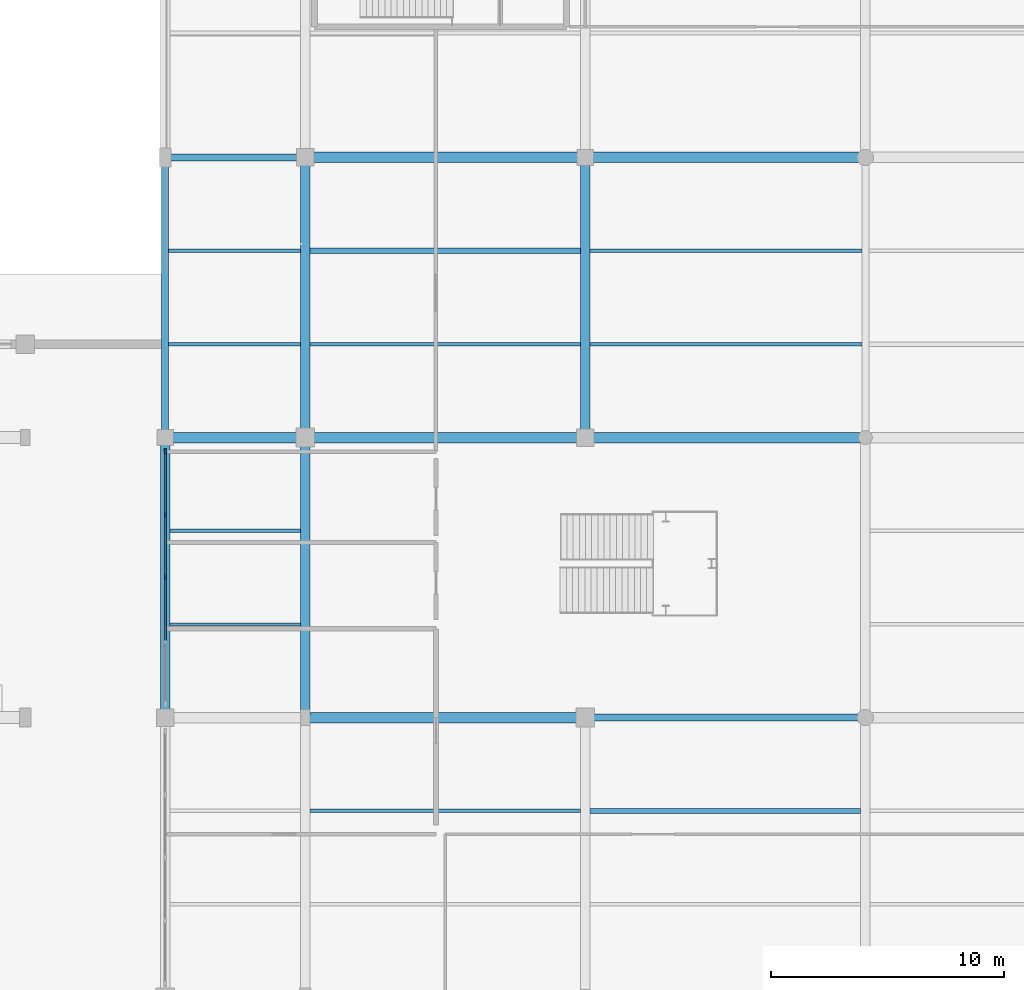
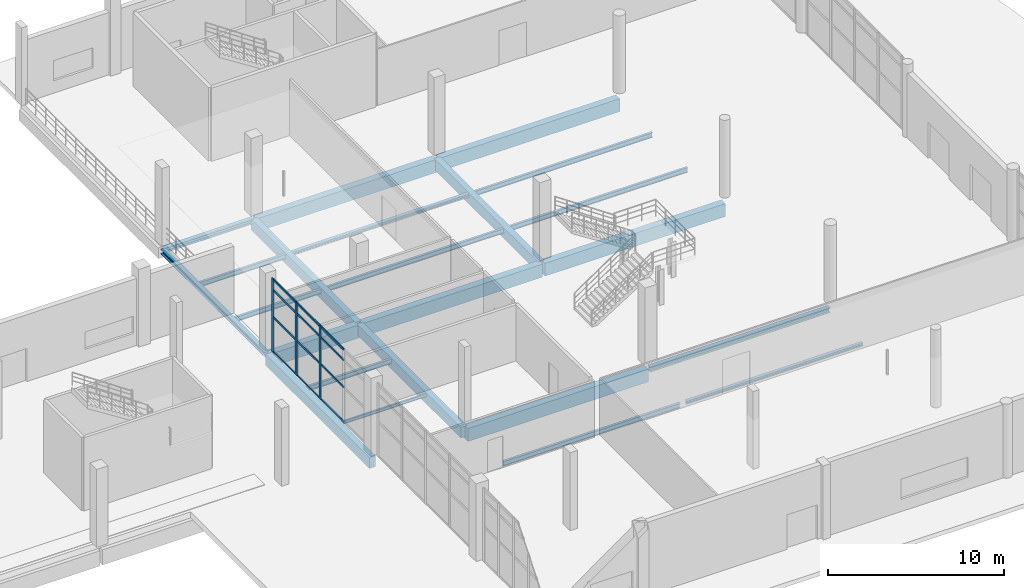
# One storey, part 35 of 85: 23 beams, 15 members, 1 element without a shape of its own.
"""IFC4 building model written with IfcOpenShell, lengths in metres."""

from ifc_helpers import new_model, si_unit, direction, frame, origin, origin_2d, place, context, subcontext, project, spatial, rectangle, i_section, extrude, material, material_profile, profile_set, type_object, element, aggregate, save


model = new_model("IFC4")

# Units and contexts
model_context = context("Model", 3, precision=1e-05, world=origin(), true_north=direction((0.0, 1.0)))
body_context = subcontext(model_context, "Body", "Model", "MODEL_VIEW")
ifc_project = project(units=[si_unit("LENGTHUNIT", "METRE"), si_unit("AREAUNIT", "SQUARE_METRE"), si_unit("VOLUMEUNIT", "CUBIC_METRE"), si_unit("PLANEANGLEUNIT", "RADIAN"), si_unit("MASSUNIT", "GRAM", prefix="KILO"), si_unit("THERMODYNAMICTEMPERATUREUNIT", "KELVIN"), si_unit("POWERUNIT", "WATT")], contexts=[model_context])

# Site, building, storey
site_placement = place(None, origin())
site = spatial("IfcSite", under=ifc_project, at=site_placement, CompositionType="ELEMENT")
building_placement = place(site_placement, origin())
building = spatial("IfcBuilding", under=site, at=building_placement, Name="Solmara Park Aquatics Centre", CompositionType="ELEMENT")
storey_placement = place(building_placement, origin())
storey = spatial("IfcBuildingStorey", under=building, at=storey_placement, Name="L00", CompositionType="ELEMENT", Elevation=0.0)

# Curtain wall, members
ifc_material_1 = material(Name="Anodised Aluminium Curtain Wall Framing", Category="aluminium")
curtain_wall_type = type_object("IfcCurtainWallType", Name="ARC-CW-SYS02", PredefinedType="USERDEFINED", material=ifc_material_1)
curtain_wall_placement = place(storey_placement, origin())
curtain_wall = element("IfcCurtainWall", 1, at=curtain_wall_placement, inside=storey, type_object=curtain_wall_type, Name="Curtain Wall CW-080", ObjectType="CURTAIN WALL", PredefinedType="USERDEFINED")
ifc_material_2 = material(Name="Anodised Aluminium Alloy 6063-T6", Category="aluminium")
ifc_material_profile_1 = material_profile(ifc_material_2, rectangle(XDim=0.074951171875, YDim=0.219970703125, at=origin_2d()), Name="ALU MULLION 75x220")
ifc_profile_set_1 = profile_set([ifc_material_profile_1], Name="Anodised Aluminium Alloy 6063-T6")
member_type_1 = type_object("IfcMemberType", Name="ARC-CWM-75x220", PredefinedType="MULLION", material=ifc_profile_set_1)
member_1_placement = place(storey_placement, frame((162.0, 42.60009765625, 0.0), z_axis=(0.0, 0.0, 1.0), x_axis=(1.0, 0.0, 0.0)))
member_1 = element("IfcMember", 2, at=member_1_placement, type_object=member_type_1, Name="CW-080 mullion 3", PredefinedType="MULLION", context=body_context, shape_type="SweptSolid", body=[
    extrude(rectangle(XDim=0.074951171875, YDim=0.219970703125, at=origin_2d()), origin(), (0.0, 0.0, 1.0), 5.080078125),
])
member_2_placement = place(storey_placement, frame((162.0, 45.300048828125, 0.0), z_axis=(0.0, 0.0, 1.0), x_axis=(1.0, 0.0, 0.0)))
member_2 = element("IfcMember", 3, at=member_2_placement, type_object=member_type_1, Name="CW-080 mullion 4", PredefinedType="MULLION", context=body_context, shape_type="SweptSolid", body=[
    extrude(rectangle(XDim=0.074951171875, YDim=0.219970703125, at=origin_2d()), origin(), (0.0, 0.0, 1.0), 5.080078125),
])
member_3_placement = place(storey_placement, frame((162.0, 48.0, 0.0), z_axis=(0.0, 0.0, 1.0), x_axis=(1.0, 0.0, 0.0)))
member_3 = element("IfcMember", 4, at=member_3_placement, type_object=member_type_1, Name="CW-080 mullion 5", PredefinedType="MULLION", context=body_context, shape_type="SweptSolid", body=[
    extrude(rectangle(XDim=0.074951171875, YDim=0.219970703125, at=origin_2d()), origin(), (0.0, 0.0, 1.0), 5.080078125),
])
ifc_material_profile_2 = material_profile(ifc_material_2, rectangle(XDim=0.074951171875, YDim=0.14990234375, at=origin_2d()), Name="ALU TRANSOM 75x150")
ifc_profile_set_2 = profile_set([ifc_material_profile_2], Name="Anodised Aluminium Alloy 6063-T6")
member_type_2 = type_object("IfcMemberType", Name="ARC-CWT-75x150", PredefinedType="USERDEFINED", material=ifc_profile_set_2)
member_4_placement = place(storey_placement, frame((162.0, 39.919921875, 0.0400390625), z_axis=(0.0, 1.0, 0.0), x_axis=(-1.0, 0.0, 0.0)))
member_4 = element("IfcMember", 5, at=member_4_placement, type_object=member_type_2, Name="CW-080 transom 5", ObjectType="TRANSOM", PredefinedType="USERDEFINED", context=body_context, shape_type="SweptSolid", body=[
    extrude(rectangle(XDim=0.074951171875, YDim=0.14990234375, at=origin_2d()), origin(), (0.0, 0.0, 1.0), 2.6201171875),
])
member_5_placement = place(storey_placement, frame((162.0, 39.919921875, 2.449951171875), z_axis=(0.0, 1.0, 0.0), x_axis=(-1.0, 0.0, 0.0)))
member_5 = element("IfcMember", 6, at=member_5_placement, type_object=member_type_2, Name="CW-080 transom 6", ObjectType="TRANSOM", PredefinedType="USERDEFINED", context=body_context, shape_type="SweptSolid", body=[
    extrude(rectangle(XDim=0.074951171875, YDim=0.14990234375, at=origin_2d()), origin(), (0.0, 0.0, 1.0), 2.6201171875),
])
member_6_placement = place(storey_placement, frame((162.0, 39.919921875, 4.330078125), z_axis=(0.0, 1.0, 0.0), x_axis=(-1.0, 0.0, 0.0)))
member_6 = element("IfcMember", 7, at=member_6_placement, type_object=member_type_2, Name="CW-080 transom 7", ObjectType="TRANSOM", PredefinedType="USERDEFINED", context=body_context, shape_type="SweptSolid", body=[
    extrude(rectangle(XDim=0.074951171875, YDim=0.14990234375, at=origin_2d()), origin(), (0.0, 0.0, 1.0), 2.6201171875),
])
member_7_placement = place(storey_placement, frame((162.0, 39.919921875, 5.0400390625), z_axis=(0.0, 1.0, 0.0), x_axis=(-1.0, 0.0, 0.0)))
member_7 = element("IfcMember", 8, at=member_7_placement, type_object=member_type_2, Name="CW-080 transom 8", ObjectType="TRANSOM", PredefinedType="USERDEFINED", context=body_context, shape_type="SweptSolid", body=[
    extrude(rectangle(XDim=0.074951171875, YDim=0.14990234375, at=origin_2d()), origin(), (0.0, 0.0, 1.0), 2.6201171875),
])
member_8_placement = place(storey_placement, frame((162.0, 42.6201171875, 0.0400390625), z_axis=(0.0, 1.0, 0.0), x_axis=(-1.0, 0.0, 0.0)))
member_8 = element("IfcMember", 9, at=member_8_placement, type_object=member_type_2, Name="CW-080 transom 9", ObjectType="TRANSOM", PredefinedType="USERDEFINED", context=body_context, shape_type="SweptSolid", body=[
    extrude(rectangle(XDim=0.074951171875, YDim=0.14990234375, at=origin_2d()), origin(), (0.0, 0.0, 1.0), 2.619873046875),
])
member_9_placement = place(storey_placement, frame((162.0, 42.6201171875, 2.449951171875), z_axis=(0.0, 1.0, 0.0), x_axis=(-1.0, 0.0, 0.0)))
member_9 = element("IfcMember", 10, at=member_9_placement, type_object=member_type_2, Name="CW-080 transom 10", ObjectType="TRANSOM", PredefinedType="USERDEFINED", context=body_context, shape_type="SweptSolid", body=[
    extrude(rectangle(XDim=0.074951171875, YDim=0.14990234375, at=origin_2d()), origin(), (0.0, 0.0, 1.0), 2.619873046875),
])
member_10_placement = place(storey_placement, frame((162.0, 42.6201171875, 4.330078125), z_axis=(0.0, 1.0, 0.0), x_axis=(-1.0, 0.0, 0.0)))
member_10 = element("IfcMember", 11, at=member_10_placement, type_object=member_type_2, Name="CW-080 transom 11", ObjectType="TRANSOM", PredefinedType="USERDEFINED", context=body_context, shape_type="SweptSolid", body=[
    extrude(rectangle(XDim=0.074951171875, YDim=0.14990234375, at=origin_2d()), origin(), (0.0, 0.0, 1.0), 2.619873046875),
])
member_11_placement = place(storey_placement, frame((162.0, 42.6201171875, 5.0400390625), z_axis=(0.0, 1.0, 0.0), x_axis=(-1.0, 0.0, 0.0)))
member_11 = element("IfcMember", 12, at=member_11_placement, type_object=member_type_2, Name="CW-080 transom 12", ObjectType="TRANSOM", PredefinedType="USERDEFINED", context=body_context, shape_type="SweptSolid", body=[
    extrude(rectangle(XDim=0.074951171875, YDim=0.14990234375, at=origin_2d()), origin(), (0.0, 0.0, 1.0), 2.619873046875),
])
member_12_placement = place(storey_placement, frame((162.0, 45.320068359375, 0.0400390625), z_axis=(0.0, 1.0, 0.0), x_axis=(-1.0, 0.0, 0.0)))
member_12 = element("IfcMember", 13, at=member_12_placement, type_object=member_type_2, Name="CW-080 transom 13", ObjectType="TRANSOM", PredefinedType="USERDEFINED", context=body_context, shape_type="SweptSolid", body=[
    extrude(rectangle(XDim=0.074951171875, YDim=0.14990234375, at=origin_2d()), origin(), (0.0, 0.0, 1.0), 2.619873046875),
])
member_13_placement = place(storey_placement, frame((162.0, 45.320068359375, 2.449951171875), z_axis=(0.0, 1.0, 0.0), x_axis=(-1.0, 0.0, 0.0)))
member_13 = element("IfcMember", 14, at=member_13_placement, type_object=member_type_2, Name="CW-080 transom 14", ObjectType="TRANSOM", PredefinedType="USERDEFINED", context=body_context, shape_type="SweptSolid", body=[
    extrude(rectangle(XDim=0.074951171875, YDim=0.14990234375, at=origin_2d()), origin(), (0.0, 0.0, 1.0), 2.619873046875),
])
member_14_placement = place(storey_placement, frame((162.0, 45.320068359375, 4.330078125), z_axis=(0.0, 1.0, 0.0), x_axis=(-1.0, 0.0, 0.0)))
member_14 = element("IfcMember", 15, at=member_14_placement, type_object=member_type_2, Name="CW-080 transom 15", ObjectType="TRANSOM", PredefinedType="USERDEFINED", context=body_context, shape_type="SweptSolid", body=[
    extrude(rectangle(XDim=0.074951171875, YDim=0.14990234375, at=origin_2d()), origin(), (0.0, 0.0, 1.0), 2.619873046875),
])
member_15_placement = place(storey_placement, frame((162.0, 45.320068359375, 5.0400390625), z_axis=(0.0, 1.0, 0.0), x_axis=(-1.0, 0.0, 0.0)))
member_15 = element("IfcMember", 16, at=member_15_placement, type_object=member_type_2, Name="CW-080 transom 16", ObjectType="TRANSOM", PredefinedType="USERDEFINED", context=body_context, shape_type="SweptSolid", body=[
    extrude(rectangle(XDim=0.074951171875, YDim=0.14990234375, at=origin_2d()), origin(), (0.0, 0.0, 1.0), 2.619873046875),
])
aggregate(curtain_wall, [member_1, member_2, member_3, member_4, member_5, member_6, member_7, member_8, member_9, member_10, member_11, member_12, member_13, member_14, member_15])

# Beams
ifc_material_3 = material(Name="Structural Steel S355", Category="steel")
ifc_material_profile_3 = material_profile(ifc_material_3, i_section(OverallWidth=0.300048828125, OverallDepth=0.320068359375, WebThickness=0.011474609375, FlangeThickness=0.0205078125, FilletRadius=0.027099609375, at=origin_2d()), Name="HEB 320")
ifc_profile_set_3 = profile_set([ifc_material_profile_3], Name="Structural Steel S355")
beam_type_1 = type_object("IfcBeamType", Name="STR-BM-HEB320", PredefinedType="BEAM", material=ifc_profile_set_3)
beam_1_placement = place(storey_placement, frame((162.080078125, 60.60009765625, -0.580078125), z_axis=(1.0, 0.0, 0.0), x_axis=(0.0, 1.0, 0.0)))
element("IfcBeam", 17, at=beam_1_placement, inside=storey, type_object=beam_type_1, Name="Girder BM-L00-0066", PredefinedType="BEAM", context=body_context, shape_type="SweptSolid", body=[
    extrude(i_section(OverallWidth=0.300048828125, OverallDepth=0.320068359375, WebThickness=0.011474609375, FlangeThickness=0.0205078125, FilletRadius=0.027099609375, at=origin_2d()), origin(), (0.0, 0.0, 1.0), 5.83984375),
])
beam_2_placement = place(storey_placement, frame((162.0, 48.679931640625, -0.580078125), z_axis=(0.0, 1.0, 0.0), x_axis=(-1.0, 0.0, 0.0)))
element("IfcBeam", 18, at=beam_2_placement, inside=storey, type_object=beam_type_1, Name="Girder BM-L00-0077", PredefinedType="BEAM", context=body_context, shape_type="SweptSolid", body=[
    extrude(i_section(OverallWidth=0.300048828125, OverallDepth=0.320068359375, WebThickness=0.011474609375, FlangeThickness=0.0205078125, FilletRadius=0.027099609375, at=origin_2d()), origin(), (0.0, 0.0, 1.0), 11.840087890625),
])
ifc_material_profile_4 = material_profile(ifc_material_3, i_section(OverallWidth=0.300048828125, OverallDepth=0.340087890625, WebThickness=0.011962890625, FlangeThickness=0.021484375, FilletRadius=0.027099609375, at=origin_2d()), Name="HEB 340")
ifc_profile_set_4 = profile_set([ifc_material_profile_4], Name="Structural Steel S355")
beam_type_2 = type_object("IfcBeamType", Name="STR-BM-HEB340", PredefinedType="BEAM", material=ifc_profile_set_4)
beam_3_placement = place(storey_placement, frame((180.080078125, 36.60009765625, -0.590087890625), z_axis=(1.0, 0.0, 0.0), x_axis=(0.0, 1.0, 0.0)))
element("IfcBeam", 19, at=beam_3_placement, inside=storey, type_object=beam_type_2, Name="Girder BM-L00-0060", PredefinedType="BEAM", context=body_context, shape_type="SweptSolid", body=[
    extrude(i_section(OverallWidth=0.300048828125, OverallDepth=0.340087890625, WebThickness=0.011962890625, FlangeThickness=0.021484375, FilletRadius=0.027099609375, at=origin_2d()), origin(), (0.0, 0.0, 1.0), 11.83984375),
])
ifc_material_4 = material(Name="Concrete C40/50", Category="concrete")
ifc_material_profile_5 = material_profile(ifc_material_4, rectangle(XDim=0.39990234375, YDim=0.75, at=origin_2d()), Name="RC 400x750")
ifc_profile_set_5 = profile_set([ifc_material_profile_5], Name="Concrete C40/50")
beam_type_3 = type_object("IfcBeamType", Name="STR-BM-RC400x750", PredefinedType="BEAM", material=ifc_profile_set_5)
for number, where, z_axis, x_axis, name in (
    (20, (162.0, 36.679931640625, -0.794921875), (0.0, 1.0, 0.0), (-1.0, 0.0, 0.0), "Girder BM-L00-0076"),
    (21, (168.0, 36.679931640625, -0.794921875), (0.0, 1.0, 0.0), (-1.0, 0.0, 0.0), "Girder BM-L00-0081"),
    (22, (168.0, 48.679931640625, -0.794921875), (0.0, 1.0, 0.0), (-1.0, 0.0, 0.0), "Girder BM-L00-0082"),
    (23, (180.0, 48.679931640625, -0.794921875), (0.0, 1.0, 0.0), (-1.0, 0.0, 0.0), "Girder BM-L00-0086"),
):
    element("IfcBeam", number, at=place(storey_placement, frame(where, z_axis=z_axis, x_axis=x_axis)), inside=storey, type_object=beam_type_3, Name=name, PredefinedType="BEAM", context=body_context, shape_type="SweptSolid", body=[
        extrude(rectangle(XDim=0.39990234375, YDim=0.75, at=origin_2d()), origin(), (0.0, 0.0, 1.0), 11.840087890625),
    ])
ifc_material_profile_6 = material_profile(ifc_material_4, rectangle(XDim=0.449951171875, YDim=0.89990234375, at=origin_2d()), Name="RC 450x900")
ifc_profile_set_6 = profile_set([ifc_material_profile_6], Name="Concrete C40/50")
beam_type_4 = type_object("IfcBeamType", Name="STR-BM-RC450x900", PredefinedType="BEAM", material=ifc_profile_set_6)
beam_4_placement = place(storey_placement, frame((168.080078125, 36.60009765625, -0.8701171875), z_axis=(1.0, 0.0, 0.0), x_axis=(0.0, 1.0, 0.0)))
element("IfcBeam", 24, at=beam_4_placement, inside=storey, type_object=beam_type_4, Name="Girder BM-L00-0059", PredefinedType="BEAM", context=body_context, shape_type="SweptSolid", body=[
    extrude(rectangle(XDim=0.449951171875, YDim=0.89990234375, at=origin_2d()), origin(), (0.0, 0.0, 1.0), 11.83984375),
])
beam_5_placement = place(storey_placement, frame((162.080078125, 48.60009765625, -0.8701171875), z_axis=(1.0, 0.0, 0.0), x_axis=(0.0, 1.0, 0.0)))
element("IfcBeam", 25, at=beam_5_placement, inside=storey, type_object=beam_type_4, Name="Girder BM-L00-0062", PredefinedType="BEAM", context=body_context, shape_type="SweptSolid", body=[
    extrude(rectangle(XDim=0.449951171875, YDim=0.89990234375, at=origin_2d()), origin(), (0.0, 0.0, 1.0), 5.83984375),
])
for number, where, z_axis, x_axis, name in (
    (26, (168.080078125, 48.60009765625, -0.8701171875), (1.0, 0.0, 0.0), (0.0, 1.0, 0.0), "Girder BM-L00-0063"),
    (27, (180.080078125, 48.60009765625, -0.8701171875), (1.0, 0.0, 0.0), (0.0, 1.0, 0.0), "Girder BM-L00-0064"),
    (28, (168.080078125, 60.60009765625, -0.8701171875), (1.0, 0.0, 0.0), (0.0, 1.0, 0.0), "Girder BM-L00-0067"),
    (29, (180.080078125, 60.60009765625, -0.8701171875), (1.0, 0.0, 0.0), (0.0, 1.0, 0.0), "Girder BM-L00-0068"),
):
    element("IfcBeam", number, at=place(storey_placement, frame(where, z_axis=z_axis, x_axis=x_axis)), inside=storey, type_object=beam_type_4, Name=name, PredefinedType="BEAM", context=body_context, shape_type="SweptSolid", body=[
        extrude(rectangle(XDim=0.449951171875, YDim=0.89990234375, at=origin_2d()), origin(), (0.0, 0.0, 1.0), 11.83984375),
    ])
ifc_material_profile_7 = material_profile(ifc_material_3, i_section(OverallWidth=0.219970703125, OverallDepth=0.2099609375, WebThickness=0.007080078125, FlangeThickness=0.010986328125, FilletRadius=0.01806640625, at=origin_2d()), Name="HEA 220")
ifc_profile_set_7 = profile_set([ifc_material_profile_7], Name="Structural Steel S355")
beam_type_5 = type_object("IfcBeamType", Name="STR-JST-HEA220", PredefinedType="JOIST", material=ifc_profile_set_7)
beam_6_placement = place(storey_placement, frame((180.199951171875, 32.60009765625, -0.52490234375), z_axis=(1.0, 0.0, 0.0), x_axis=(0.0, 1.0, 0.0)))
element("IfcBeam", 30, at=beam_6_placement, inside=storey, type_object=beam_type_5, Name="Floor Joist JST-L00-0044", PredefinedType="JOIST", context=body_context, shape_type="SweptSolid", body=[
    extrude(i_section(OverallWidth=0.219970703125, OverallDepth=0.2099609375, WebThickness=0.007080078125, FlangeThickness=0.010986328125, FilletRadius=0.01806640625, at=origin_2d()), origin(), (0.0, 0.0, 1.0), 11.60009765625),
])
ifc_material_profile_8 = material_profile(ifc_material_3, i_section(OverallWidth=0.239990234375, OverallDepth=0.22998046875, WebThickness=0.007568359375, FlangeThickness=0.011962890625, FilletRadius=0.02099609375, at=origin_2d()), Name="HEA 240")
ifc_profile_set_8 = profile_set([ifc_material_profile_8], Name="Structural Steel S355")
beam_type_6 = type_object("IfcBeamType", Name="STR-JST-HEA240", PredefinedType="JOIST", material=ifc_profile_set_8)
beam_7_placement = place(storey_placement, frame((168.199951171875, 56.60009765625, -0.534912109375), z_axis=(1.0, 0.0, 0.0), x_axis=(0.0, 1.0, 0.0)))
element("IfcBeam", 31, at=beam_7_placement, inside=storey, type_object=beam_type_6, Name="Floor Joist JST-L00-0039", PredefinedType="JOIST", context=body_context, shape_type="SweptSolid", body=[
    extrude(i_section(OverallWidth=0.239990234375, OverallDepth=0.22998046875, WebThickness=0.007568359375, FlangeThickness=0.011962890625, FilletRadius=0.02099609375, at=origin_2d()), origin(), (0.0, 0.0, 1.0), 11.60009765625),
])
ifc_material_profile_9 = material_profile(ifc_material_3, i_section(OverallWidth=0.110107421875, OverallDepth=0.219970703125, WebThickness=0.005859375, FlangeThickness=0.00927734375, FilletRadius=0.011962890625, at=origin_2d()), Name="IPE 220")
ifc_profile_set_9 = profile_set([ifc_material_profile_9], Name="Structural Steel S355")
beam_type_7 = type_object("IfcBeamType", Name="STR-JST-IPE220", PredefinedType="JOIST", material=ifc_profile_set_9)
beam_8_placement = place(storey_placement, frame((162.199951171875, 40.60009765625, -0.530029296875), z_axis=(1.0, 0.0, 0.0), x_axis=(0.0, 1.0, 0.0)))
element("IfcBeam", 32, at=beam_8_placement, inside=storey, type_object=beam_type_7, Name="Floor Joist JST-L00-0029", PredefinedType="JOIST", context=body_context, shape_type="SweptSolid", body=[
    extrude(i_section(OverallWidth=0.110107421875, OverallDepth=0.219970703125, WebThickness=0.005859375, FlangeThickness=0.00927734375, FilletRadius=0.011962890625, at=origin_2d()), origin(), (0.0, 0.0, 1.0), 5.60009765625),
])
ifc_material_profile_10 = material_profile(ifc_material_3, i_section(OverallWidth=0.159912109375, OverallDepth=0.330078125, WebThickness=0.007568359375, FlangeThickness=0.011474609375, FilletRadius=0.01806640625, at=origin_2d()), Name="IPE 330")
ifc_profile_set_10 = profile_set([ifc_material_profile_10], Name="Structural Steel S355")
beam_type_8 = type_object("IfcBeamType", Name="STR-JST-IPE330", PredefinedType="JOIST", material=ifc_profile_set_10)
beam_9_placement = place(storey_placement, frame((162.199951171875, 44.60009765625, -0.5849609375), z_axis=(1.0, 0.0, 0.0), x_axis=(0.0, 1.0, 0.0)))
element("IfcBeam", 33, at=beam_9_placement, inside=storey, type_object=beam_type_8, Name="Floor Joist JST-L00-0030", PredefinedType="JOIST", context=body_context, shape_type="SweptSolid", body=[
    extrude(i_section(OverallWidth=0.159912109375, OverallDepth=0.330078125, WebThickness=0.007568359375, FlangeThickness=0.011474609375, FilletRadius=0.01806640625, at=origin_2d()), origin(), (0.0, 0.0, 1.0), 5.60009765625),
])
for number, where, z_axis, x_axis, name in (
    (34, (162.14990234375, 52.60009765625, -0.5849609375), (1.0, 0.0, 0.0), (0.0, 1.0, 0.0), "Floor Joist JST-L00-0031"),
    (35, (162.14990234375, 56.60009765625, -0.5849609375), (1.0, 0.0, 0.0), (0.0, 1.0, 0.0), "Floor Joist JST-L00-0032"),
):
    element("IfcBeam", number, at=place(storey_placement, frame(where, z_axis=z_axis, x_axis=x_axis)), inside=storey, type_object=beam_type_8, Name=name, PredefinedType="JOIST", context=body_context, shape_type="SweptSolid", body=[
        extrude(i_section(OverallWidth=0.159912109375, OverallDepth=0.330078125, WebThickness=0.007568359375, FlangeThickness=0.011474609375, FilletRadius=0.01806640625, at=origin_2d()), origin(), (0.0, 0.0, 1.0), 5.650146484375),
    ])
for number, where, z_axis, x_axis, name in (
    (36, (168.199951171875, 32.60009765625, -0.5849609375), (1.0, 0.0, 0.0), (0.0, 1.0, 0.0), "Floor Joist JST-L00-0037"),
    (37, (168.199951171875, 52.60009765625, -0.5849609375), (1.0, 0.0, 0.0), (0.0, 1.0, 0.0), "Floor Joist JST-L00-0038"),
):
    element("IfcBeam", number, at=place(storey_placement, frame(where, z_axis=z_axis, x_axis=x_axis)), inside=storey, type_object=beam_type_8, Name=name, PredefinedType="JOIST", context=body_context, shape_type="SweptSolid", body=[
        extrude(i_section(OverallWidth=0.159912109375, OverallDepth=0.330078125, WebThickness=0.007568359375, FlangeThickness=0.011474609375, FilletRadius=0.01806640625, at=origin_2d()), origin(), (0.0, 0.0, 1.0), 11.60009765625),
    ])
for number, where, z_axis, x_axis, name in (
    (38, (180.199951171875, 52.60009765625, -0.5849609375), (1.0, 0.0, 0.0), (0.0, 1.0, 0.0), "Floor Joist JST-L00-0045"),
    (39, (180.199951171875, 56.60009765625, -0.5849609375), (1.0, 0.0, 0.0), (0.0, 1.0, 0.0), "Floor Joist JST-L00-0046"),
):
    element("IfcBeam", number, at=place(storey_placement, frame(where, z_axis=z_axis, x_axis=x_axis)), inside=storey, type_object=beam_type_8, Name=name, PredefinedType="JOIST", context=body_context, shape_type="SweptSolid", body=[
        extrude(i_section(OverallWidth=0.159912109375, OverallDepth=0.330078125, WebThickness=0.007568359375, FlangeThickness=0.011474609375, FilletRadius=0.01806640625, at=origin_2d()), origin(), (0.0, 0.0, 1.0), 11.650146484375),
    ])

save(model, "model.ifc")
